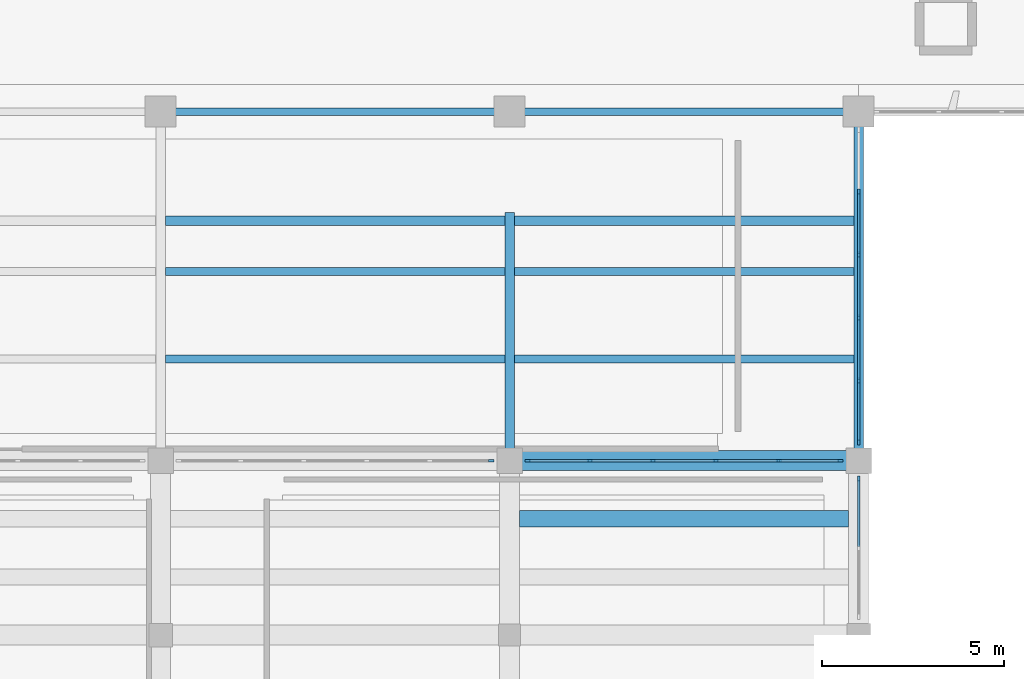
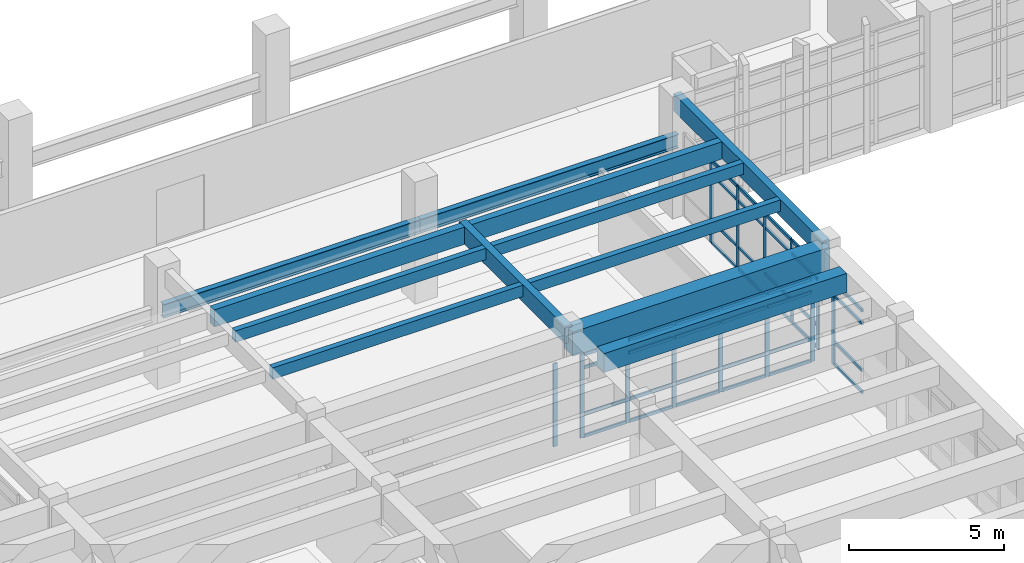
# One storey, part 22 of 86: 53 members, 12 beams, 4 elements without a shape of their own.
"""IFC4 building model written with IfcOpenShell, lengths in metres."""

from ifc_helpers import new_model, si_unit, direction, frame, origin, origin_2d, place, context, subcontext, project, spatial, rectangle, i_section, extrude, material, layer, layer_set, material_profile, profile_set, type_object, element, aggregate, save


model = new_model("IFC4")

# Units and contexts
model_context = context("Model", 3, precision=1e-05, world=origin(), true_north=direction((0.0, 1.0)))
body_context = subcontext(model_context, "Body", "Model", "MODEL_VIEW")
ifc_project = project(units=[si_unit("LENGTHUNIT", "METRE"), si_unit("AREAUNIT", "SQUARE_METRE"), si_unit("VOLUMEUNIT", "CUBIC_METRE"), si_unit("PLANEANGLEUNIT", "RADIAN"), si_unit("MASSUNIT", "GRAM", prefix="KILO")], contexts=[model_context])

# Site, building, storey
site_placement = place(None, origin())
site = spatial("IfcSite", under=ifc_project, at=site_placement, CompositionType="ELEMENT")
building_placement = place(site_placement, origin())
building = spatial("IfcBuilding", under=site, at=building_placement, Name="Kolvemor Railside Polytechnic", CompositionType="ELEMENT")
storey_placement = place(building_placement, frame((0.0, 0.0, 5.39990234375)))
storey = spatial("IfcBuildingStorey", under=building, at=storey_placement, Name="L01", CompositionType="ELEMENT", Elevation=5.39990234375)

# Beams
ifc_material_1 = material(Name="Glulam GL28h", Category="wood")
ifc_material_profile_1 = material_profile(ifc_material_1, rectangle(XDim=0.264892578125, YDim=0.679931640625, at=origin_2d()), Name="GL265x680")
ifc_profile_set_1 = profile_set([ifc_material_profile_1], Name="Glulam GL28h")
beam_type_1 = type_object("IfcBeamType", Name="BM-GL-GIRD2", PredefinedType="BEAM", material=ifc_profile_set_1)
for number, where, z_axis, x_axis, name in (
    (1, (28.93310546875, 88.199951171875, 4.2451171875), (1.0, 0.0, 0.0), (0.0, 1.0, 0.0), "Link Roof North Joist 1071"),
    (2, (38.532958984375, 88.199951171875, 4.2451171875), (1.0, 0.0, 0.0), (0.0, 1.0, 0.0), "Link Roof North Joist 1072"),
):
    element("IfcBeam", number, at=place(storey_placement, frame(where, z_axis=z_axis, x_axis=x_axis)), inside=storey, type_object=beam_type_1, Name=name, PredefinedType="BEAM", context=body_context, shape_type="SweptSolid", body=[
        extrude(rectangle(XDim=0.264892578125, YDim=0.679931640625, at=origin_2d()), origin(), (0.0, 0.0, 1.0), 9.333984375),
    ])
beam_1_placement = place(storey_placement, frame((38.39990234375, 81.60009765625, 4.2451171875), z_axis=(0.0, 1.0, 0.0), x_axis=(-1.0, 0.0, 0.0)))
element("IfcBeam", 3, at=beam_1_placement, inside=storey, type_object=beam_type_1, Name="Link Roof Girder GY 1075", PredefinedType="BEAM", context=body_context, shape_type="SweptSolid", body=[
    extrude(rectangle(XDim=0.264892578125, YDim=0.679931640625, at=origin_2d()), origin(), (0.0, 0.0, 1.0), 6.81982421875),
])
beam_2_placement = place(storey_placement, frame((48.0, 81.60009765625, 4.2451171875), z_axis=(0.0, 1.0, 0.0), x_axis=(-1.0, 0.0, 0.0)))
element("IfcBeam", 4, at=beam_2_placement, inside=storey, type_object=beam_type_1, Name="Link Roof Girder GY 1076", PredefinedType="BEAM", context=body_context, shape_type="SweptSolid", body=[
    extrude(rectangle(XDim=0.264892578125, YDim=0.679931640625, at=origin_2d()), origin(), (0.0, 0.0, 1.0), 9.599853515625),
])
ifc_material_2 = material(Name="Glulam GL28h", Category="wood")
ifc_material_profile_2 = material_profile(ifc_material_2, rectangle(XDim=0.215087890625, YDim=0.449951171875, at=origin_2d()), Name="GL215x450")
ifc_profile_set_2 = profile_set([ifc_material_profile_2], Name="Glulam GL28h")
beam_type_2 = type_object("IfcBeamType", Name="BM-GL-JST2", PredefinedType="JOIST", material=ifc_profile_set_2)
for number, where, z_axis, x_axis, name in (
    (5, (28.93310546875, 84.39990234375, 4.360107421875), (1.0, 0.0, 0.0), (0.0, 1.0, 0.0), "Link Roof Joist 1079"),
    (6, (28.93310546875, 86.800048828125, 4.360107421875), (1.0, 0.0, 0.0), (0.0, 1.0, 0.0), "Link Roof Joist 1080"),
    (7, (38.532958984375, 84.39990234375, 4.360107421875), (1.0, 0.0, 0.0), (0.0, 1.0, 0.0), "Link Roof Joist 1081"),
    (8, (38.532958984375, 86.800048828125, 4.360107421875), (1.0, 0.0, 0.0), (0.0, 1.0, 0.0), "Link Roof Joist 1082"),
):
    element("IfcBeam", number, at=place(storey_placement, frame(where, z_axis=z_axis, x_axis=x_axis)), inside=storey, type_object=beam_type_2, Name=name, PredefinedType="JOIST", context=body_context, shape_type="SweptSolid", body=[
        extrude(rectangle(XDim=0.215087890625, YDim=0.449951171875, at=origin_2d()), origin(), (0.0, 0.0, 1.0), 9.333984375),
    ])
ifc_material_3 = material(Name="Concrete C40/50", Category="concrete")
ifc_material_profile_3 = material_profile(ifc_material_3, rectangle(XDim=0.550048828125, YDim=0.949951171875, at=origin_2d()), Name="RC550x950")
ifc_profile_set_3 = profile_set([ifc_material_profile_3], Name="Concrete C40/50")
beam_type_3 = type_object("IfcBeamType", Name="BM-RC-GIRD", PredefinedType="BEAM", material=ifc_profile_set_3)
beam_3_placement = place(storey_placement, frame((38.39990234375, 81.60009765625, 4.005126953125), z_axis=(1.0, 0.0, 0.0), x_axis=(0.0, 1.0, 0.0)))
element("IfcBeam", 9, at=beam_3_placement, inside=storey, type_object=beam_type_3, Name="Primary Girder L02-GX 0607", PredefinedType="BEAM", context=body_context, shape_type="SweptSolid", body=[
    extrude(rectangle(XDim=0.550048828125, YDim=0.949951171875, at=origin_2d()), origin(), (0.0, 0.0, 1.0), 9.60009765625),
])
ifc_material_4 = material(Name="Concrete C40/50", Category="concrete")
ifc_material_profile_4 = material_profile(ifc_material_4, rectangle(XDim=0.449951171875, YDim=0.75, at=origin_2d()), Name="RC450x750")
ifc_profile_set_4 = profile_set([ifc_material_profile_4], Name="Concrete C40/50")
beam_type_4 = type_object("IfcBeamType", Name="BM-RC-SEC", PredefinedType="JOIST", material=ifc_profile_set_4)
beam_4_placement = place(storey_placement, frame((38.675048828125, 80.0, 4.10498046875), z_axis=(1.0, 0.0, 0.0), x_axis=(0.0, 1.0, 0.0)))
element("IfcBeam", 10, at=beam_4_placement, inside=storey, type_object=beam_type_4, Name="Floor Joist L02-J0747", PredefinedType="JOIST", context=body_context, shape_type="SweptSolid", body=[
    extrude(rectangle(XDim=0.449951171875, YDim=0.75, at=origin_2d()), origin(), (0.0, 0.0, 1.0), 9.050048828125),
])
ifc_material_5 = material(Name="Steel S355", Category="steel")
ifc_material_profile_5 = material_profile(ifc_material_5, i_section(OverallWidth=0.2109375, OverallDepth=0.5390625, WebThickness=0.01171875, FlangeThickness=0.018798828125, FilletRadius=0.013916015625, at=origin_2d()), Name="W530x109")
ifc_profile_set_5 = profile_set([ifc_material_profile_5], Name="Steel S355")
beam_type_5 = type_object("IfcBeamType", Name="BM-ST-CRANE2", PredefinedType="BEAM", material=ifc_profile_set_5)
beam_5_placement = place(storey_placement, frame((28.800048828125, 91.199951171875, 2.730712890625), z_axis=(1.0, 0.0, 0.0), x_axis=(0.0, 1.0, 0.0)))
element("IfcBeam", 11, at=beam_5_placement, inside=storey, type_object=beam_type_5, Name="Workshop Header Steel Girder CRG-G02", PredefinedType="BEAM", context=body_context, shape_type="SweptSolid", body=[
    extrude(i_section(OverallWidth=0.2109375, OverallDepth=0.5390625, WebThickness=0.01171875, FlangeThickness=0.018798828125, FilletRadius=0.013916015625, at=origin_2d()), origin(), (0.0, 0.0, 1.0), 9.599853515625),
])
beam_6_placement = place(storey_placement, frame((38.39990234375, 91.199951171875, 2.730712890625), z_axis=(1.0, 0.0, 0.0), x_axis=(0.0, 1.0, 0.0)))
element("IfcBeam", 12, at=beam_6_placement, inside=storey, type_object=beam_type_5, Name="Workshop Header Steel Girder CRG-G03", PredefinedType="BEAM", context=body_context, shape_type="SweptSolid", body=[
    extrude(i_section(OverallWidth=0.2109375, OverallDepth=0.5390625, WebThickness=0.01171875, FlangeThickness=0.018798828125, FilletRadius=0.013916015625, at=origin_2d()), origin(), (0.0, 0.0, 1.0), 9.60009765625),
])

# Curtain wall, member
ifc_material_6 = material(Name="Anodised marine aluminium and laminated low-E glass", Category="aluminium")
ifc_layer = layer(ifc_material_6, 0.179931640625, Name="CW-UNIT-STD")
ifc_layer_set = layer_set([ifc_layer], Name="Anodised marine aluminium and laminated low-E glass")
curtain_wall_type = type_object("IfcCurtainWallType", Name="CW-UNIT-STD", PredefinedType="USERDEFINED", material=ifc_layer_set)
curtain_wall_1_placement = place(storey_placement, origin())
curtain_wall_1 = element("IfcCurtainWall", 13, at=curtain_wall_1_placement, inside=storey, type_object=curtain_wall_type, Name="Curtain Wall L01-037", ObjectType="UNITISED CURTAIN WALL", PredefinedType="USERDEFINED")
ifc_material_7 = material(Name="Anodised marine aluminium 6063-T6", Category="aluminium")
ifc_material_profile_6 = material_profile(ifc_material_7, rectangle(XDim=0.06494140625, YDim=0.14990234375, at=origin_2d()), Name="CW-MUL-65x150")
ifc_profile_set_6 = profile_set([ifc_material_profile_6], Name="Anodised marine aluminium 6063-T6")
member_type_1 = type_object("IfcMemberType", Name="CWM-65x150", PredefinedType="MULLION", material=ifc_profile_set_6)
member_1_placement = place(storey_placement, frame((37.8974609375, 81.60009765625, 0.0), z_axis=(0.0, 0.0, 1.0), x_axis=(0.0, -1.0, 0.0)))
member_1 = element("IfcMember", 14, at=member_1_placement, type_object=member_type_1, Name="CW-STD mullion 1", PredefinedType="MULLION", context=body_context, shape_type="SweptSolid", body=[
    extrude(rectangle(XDim=0.06494140625, YDim=0.14990234375, at=origin_2d()), origin(), (0.0, 0.0, 1.0), 3.280029296875),
])
aggregate(curtain_wall_1, [member_1])

# Curtain wall, members
curtain_wall_2_placement = place(storey_placement, origin())
curtain_wall_2 = element("IfcCurtainWall", 15, at=curtain_wall_2_placement, inside=storey, type_object=curtain_wall_type, Name="Curtain Wall L01-038", ObjectType="UNITISED CURTAIN WALL", PredefinedType="USERDEFINED")
member_2_placement = place(storey_placement, frame((47.49755859375, 81.60009765625, 0.0), z_axis=(0.0, 0.0, 1.0), x_axis=(0.0, -1.0, 0.0)))
member_2 = element("IfcMember", 16, at=member_2_placement, type_object=member_type_1, Name="CW-STD mullion 1", PredefinedType="MULLION", context=body_context, shape_type="SweptSolid", body=[
    extrude(rectangle(XDim=0.06494140625, YDim=0.14990234375, at=origin_2d()), origin(), (0.0, 0.0, 1.0), 3.280029296875),
])
member_3_placement = place(storey_placement, frame((45.798095703125, 81.60009765625, 0.0), z_axis=(0.0, 0.0, 1.0), x_axis=(0.0, -1.0, 0.0)))
member_3 = element("IfcMember", 17, at=member_3_placement, type_object=member_type_1, Name="CW-STD mullion 2", PredefinedType="MULLION", context=body_context, shape_type="SweptSolid", body=[
    extrude(rectangle(XDim=0.06494140625, YDim=0.14990234375, at=origin_2d()), origin(), (0.0, 0.0, 1.0), 3.280029296875),
])
member_4_placement = place(storey_placement, frame((44.06591796875, 81.60009765625, 0.0), z_axis=(0.0, 0.0, 1.0), x_axis=(0.0, -1.0, 0.0)))
member_4 = element("IfcMember", 18, at=member_4_placement, type_object=member_type_1, Name="CW-STD mullion 3", PredefinedType="MULLION", context=body_context, shape_type="SweptSolid", body=[
    extrude(rectangle(XDim=0.06494140625, YDim=0.14990234375, at=origin_2d()), origin(), (0.0, 0.0, 1.0), 3.280029296875),
])
member_5_placement = place(storey_placement, frame((42.333984375, 81.60009765625, 0.0), z_axis=(0.0, 0.0, 1.0), x_axis=(0.0, -1.0, 0.0)))
member_5 = element("IfcMember", 19, at=member_5_placement, type_object=member_type_1, Name="CW-STD mullion 4", PredefinedType="MULLION", context=body_context, shape_type="SweptSolid", body=[
    extrude(rectangle(XDim=0.06494140625, YDim=0.14990234375, at=origin_2d()), origin(), (0.0, 0.0, 1.0), 3.280029296875),
])
member_6_placement = place(storey_placement, frame((40.60205078125, 81.60009765625, 0.0), z_axis=(0.0, 0.0, 1.0), x_axis=(0.0, -1.0, 0.0)))
member_6 = element("IfcMember", 20, at=member_6_placement, type_object=member_type_1, Name="CW-STD mullion 5", PredefinedType="MULLION", context=body_context, shape_type="SweptSolid", body=[
    extrude(rectangle(XDim=0.06494140625, YDim=0.14990234375, at=origin_2d()), origin(), (0.0, 0.0, 1.0), 3.280029296875),
])
member_7_placement = place(storey_placement, frame((38.902587890625, 81.60009765625, 0.0), z_axis=(0.0, 0.0, 1.0), x_axis=(0.0, -1.0, 0.0)))
member_7 = element("IfcMember", 21, at=member_7_placement, type_object=member_type_1, Name="CW-STD mullion 6", PredefinedType="MULLION", context=body_context, shape_type="SweptSolid", body=[
    extrude(rectangle(XDim=0.06494140625, YDim=0.14990234375, at=origin_2d()), origin(), (0.0, 0.0, 1.0), 3.280029296875),
])

curtain_wall_3_placement = place(storey_placement, origin())
curtain_wall_3 = element("IfcCurtainWall", 22, at=curtain_wall_3_placement, inside=storey, type_object=curtain_wall_type, Name="Curtain Wall L01-044", ObjectType="UNITISED CURTAIN WALL", PredefinedType="USERDEFINED")
member_8_placement = place(storey_placement, frame((48.0, 82.1025390625, 0.0), z_axis=(0.0, 0.0, 1.0), x_axis=(-1.0, 0.0, 0.0)))
member_8 = element("IfcMember", 23, at=member_8_placement, type_object=member_type_1, Name="CW-STD mullion 1", PredefinedType="MULLION", context=body_context, shape_type="SweptSolid", body=[
    extrude(rectangle(XDim=0.06494140625, YDim=0.14990234375, at=origin_2d()), origin(), (0.0, 0.0, 1.0), 3.280029296875),
])
member_9_placement = place(storey_placement, frame((48.0, 83.802001953125, 0.0), z_axis=(0.0, 0.0, 1.0), x_axis=(-1.0, 0.0, 0.0)))
member_9 = element("IfcMember", 24, at=member_9_placement, type_object=member_type_1, Name="CW-STD mullion 2", PredefinedType="MULLION", context=body_context, shape_type="SweptSolid", body=[
    extrude(rectangle(XDim=0.06494140625, YDim=0.14990234375, at=origin_2d()), origin(), (0.0, 0.0, 1.0), 3.280029296875),
])
member_10_placement = place(storey_placement, frame((48.0, 85.533935546875, 0.0), z_axis=(0.0, 0.0, 1.0), x_axis=(-1.0, 0.0, 0.0)))
member_10 = element("IfcMember", 25, at=member_10_placement, type_object=member_type_1, Name="CW-STD mullion 3", PredefinedType="MULLION", context=body_context, shape_type="SweptSolid", body=[
    extrude(rectangle(XDim=0.06494140625, YDim=0.14990234375, at=origin_2d()), origin(), (0.0, 0.0, 1.0), 3.280029296875),
])
member_11_placement = place(storey_placement, frame((48.0, 87.26611328125, 0.0), z_axis=(0.0, 0.0, 1.0), x_axis=(-1.0, 0.0, 0.0)))
member_11 = element("IfcMember", 26, at=member_11_placement, type_object=member_type_1, Name="CW-STD mullion 4", PredefinedType="MULLION", context=body_context, shape_type="SweptSolid", body=[
    extrude(rectangle(XDim=0.06494140625, YDim=0.14990234375, at=origin_2d()), origin(), (0.0, 0.0, 1.0), 3.280029296875),
])
member_12_placement = place(storey_placement, frame((48.0, 88.998046875, 0.0), z_axis=(0.0, 0.0, 1.0), x_axis=(-1.0, 0.0, 0.0)))
member_12 = element("IfcMember", 27, at=member_12_placement, type_object=member_type_1, Name="CW-STD mullion 5", PredefinedType="MULLION", context=body_context, shape_type="SweptSolid", body=[
    extrude(rectangle(XDim=0.06494140625, YDim=0.14990234375, at=origin_2d()), origin(), (0.0, 0.0, 1.0), 3.280029296875),
])

# Curtain wall, member
curtain_wall_4_placement = place(storey_placement, origin())
curtain_wall_4 = element("IfcCurtainWall", 28, at=curtain_wall_4_placement, inside=storey, type_object=curtain_wall_type, Name="Curtain Wall L01-090", ObjectType="UNITISED CURTAIN WALL", PredefinedType="USERDEFINED")
member_13_placement = place(storey_placement, frame((48.0, 81.097412109375, 0.0), z_axis=(0.0, 0.0, 1.0), x_axis=(-1.0, 0.0, 0.0)))
member_13 = element("IfcMember", 29, at=member_13_placement, type_object=member_type_1, Name="CW-STD mullion 3", PredefinedType="MULLION", context=body_context, shape_type="SweptSolid", body=[
    extrude(rectangle(XDim=0.06494140625, YDim=0.14990234375, at=origin_2d()), origin(), (0.0, 0.0, 1.0), 3.280029296875),
])

# Member
ifc_material_8 = material(Name="Anodised marine aluminium 6063-T6", Category="aluminium")
ifc_material_profile_7 = material_profile(ifc_material_8, rectangle(XDim=0.06494140625, YDim=0.1201171875, at=origin_2d()), Name="CW-TRN-65x120")
ifc_profile_set_7 = profile_set([ifc_material_profile_7], Name="Anodised marine aluminium 6063-T6")
member_type_2 = type_object("IfcMemberType", Name="CWT-65x120", PredefinedType="USERDEFINED", material=ifc_profile_set_7)
member_14_placement = place(storey_placement, frame((47.465087890625, 81.60009765625, 0.03271484375), z_axis=(-1.0, 0.0, 0.0), x_axis=(0.0, -1.0, 0.0)))
member_14 = element("IfcMember", 30, at=member_14_placement, type_object=member_type_2, Name="CW-STD transom 1.1", ObjectType="TRANSOM", PredefinedType="USERDEFINED", context=body_context, shape_type="SweptSolid", body=[
    extrude(rectangle(XDim=0.06494140625, YDim=0.1201171875, at=origin_2d()), origin(), (0.0, 0.0, 1.0), 1.634521484375),
])

member_15_placement = place(storey_placement, frame((47.465087890625, 81.60009765625, 0.900146484375), z_axis=(-1.0, 0.0, 0.0), x_axis=(0.0, -1.0, 0.0)))
member_15 = element("IfcMember", 31, at=member_15_placement, type_object=member_type_2, Name="CW-STD transom 1.2", ObjectType="TRANSOM", PredefinedType="USERDEFINED", context=body_context, shape_type="SweptSolid", body=[
    extrude(rectangle(XDim=0.06494140625, YDim=0.1201171875, at=origin_2d()), origin(), (0.0, 0.0, 1.0), 1.634521484375),
])

member_16_placement = place(storey_placement, frame((47.465087890625, 81.60009765625, 2.72998046875), z_axis=(-1.0, 0.0, 0.0), x_axis=(0.0, -1.0, 0.0)))
member_16 = element("IfcMember", 32, at=member_16_placement, type_object=member_type_2, Name="CW-STD transom 1.3", ObjectType="TRANSOM", PredefinedType="USERDEFINED", context=body_context, shape_type="SweptSolid", body=[
    extrude(rectangle(XDim=0.06494140625, YDim=0.1201171875, at=origin_2d()), origin(), (0.0, 0.0, 1.0), 1.634521484375),
])

member_17_placement = place(storey_placement, frame((47.465087890625, 81.60009765625, 3.24755859375), z_axis=(-1.0, 0.0, 0.0), x_axis=(0.0, -1.0, 0.0)))
member_17 = element("IfcMember", 33, at=member_17_placement, type_object=member_type_2, Name="CW-STD transom 1.4", ObjectType="TRANSOM", PredefinedType="USERDEFINED", context=body_context, shape_type="SweptSolid", body=[
    extrude(rectangle(XDim=0.06494140625, YDim=0.1201171875, at=origin_2d()), origin(), (0.0, 0.0, 1.0), 1.634521484375),
])

member_18_placement = place(storey_placement, frame((45.765380859375, 81.60009765625, 0.03271484375), z_axis=(-1.0, 0.0, 0.0), x_axis=(0.0, -1.0, 0.0)))
member_18 = element("IfcMember", 34, at=member_18_placement, type_object=member_type_2, Name="CW-STD transom 2.1", ObjectType="TRANSOM", PredefinedType="USERDEFINED", context=body_context, shape_type="SweptSolid", body=[
    extrude(rectangle(XDim=0.06494140625, YDim=0.1201171875, at=origin_2d()), origin(), (0.0, 0.0, 1.0), 1.6669921875),
])

member_19_placement = place(storey_placement, frame((45.765380859375, 81.60009765625, 0.900146484375), z_axis=(-1.0, 0.0, 0.0), x_axis=(0.0, -1.0, 0.0)))
member_19 = element("IfcMember", 35, at=member_19_placement, type_object=member_type_2, Name="CW-STD transom 2.2", ObjectType="TRANSOM", PredefinedType="USERDEFINED", context=body_context, shape_type="SweptSolid", body=[
    extrude(rectangle(XDim=0.06494140625, YDim=0.1201171875, at=origin_2d()), origin(), (0.0, 0.0, 1.0), 1.6669921875),
])

member_20_placement = place(storey_placement, frame((45.765380859375, 81.60009765625, 2.72998046875), z_axis=(-1.0, 0.0, 0.0), x_axis=(0.0, -1.0, 0.0)))
member_20 = element("IfcMember", 36, at=member_20_placement, type_object=member_type_2, Name="CW-STD transom 2.3", ObjectType="TRANSOM", PredefinedType="USERDEFINED", context=body_context, shape_type="SweptSolid", body=[
    extrude(rectangle(XDim=0.06494140625, YDim=0.1201171875, at=origin_2d()), origin(), (0.0, 0.0, 1.0), 1.6669921875),
])

member_21_placement = place(storey_placement, frame((45.765380859375, 81.60009765625, 3.24755859375), z_axis=(-1.0, 0.0, 0.0), x_axis=(0.0, -1.0, 0.0)))
member_21 = element("IfcMember", 37, at=member_21_placement, type_object=member_type_2, Name="CW-STD transom 2.4", ObjectType="TRANSOM", PredefinedType="USERDEFINED", context=body_context, shape_type="SweptSolid", body=[
    extrude(rectangle(XDim=0.06494140625, YDim=0.1201171875, at=origin_2d()), origin(), (0.0, 0.0, 1.0), 1.6669921875),
])

member_22_placement = place(storey_placement, frame((44.033447265625, 81.60009765625, 0.03271484375), z_axis=(-1.0, 0.0, 0.0), x_axis=(0.0, -1.0, 0.0)))
member_22 = element("IfcMember", 38, at=member_22_placement, type_object=member_type_2, Name="CW-STD transom 3.1", ObjectType="TRANSOM", PredefinedType="USERDEFINED", context=body_context, shape_type="SweptSolid", body=[
    extrude(rectangle(XDim=0.06494140625, YDim=0.1201171875, at=origin_2d()), origin(), (0.0, 0.0, 1.0), 1.6669921875),
])

member_23_placement = place(storey_placement, frame((44.033447265625, 81.60009765625, 0.900146484375), z_axis=(-1.0, 0.0, 0.0), x_axis=(0.0, -1.0, 0.0)))
member_23 = element("IfcMember", 39, at=member_23_placement, type_object=member_type_2, Name="CW-STD transom 3.2", ObjectType="TRANSOM", PredefinedType="USERDEFINED", context=body_context, shape_type="SweptSolid", body=[
    extrude(rectangle(XDim=0.06494140625, YDim=0.1201171875, at=origin_2d()), origin(), (0.0, 0.0, 1.0), 1.6669921875),
])

member_24_placement = place(storey_placement, frame((44.033447265625, 81.60009765625, 2.72998046875), z_axis=(-1.0, 0.0, 0.0), x_axis=(0.0, -1.0, 0.0)))
member_24 = element("IfcMember", 40, at=member_24_placement, type_object=member_type_2, Name="CW-STD transom 3.3", ObjectType="TRANSOM", PredefinedType="USERDEFINED", context=body_context, shape_type="SweptSolid", body=[
    extrude(rectangle(XDim=0.06494140625, YDim=0.1201171875, at=origin_2d()), origin(), (0.0, 0.0, 1.0), 1.6669921875),
])

member_25_placement = place(storey_placement, frame((44.033447265625, 81.60009765625, 3.24755859375), z_axis=(-1.0, 0.0, 0.0), x_axis=(0.0, -1.0, 0.0)))
member_25 = element("IfcMember", 41, at=member_25_placement, type_object=member_type_2, Name="CW-STD transom 3.4", ObjectType="TRANSOM", PredefinedType="USERDEFINED", context=body_context, shape_type="SweptSolid", body=[
    extrude(rectangle(XDim=0.06494140625, YDim=0.1201171875, at=origin_2d()), origin(), (0.0, 0.0, 1.0), 1.6669921875),
])

member_26_placement = place(storey_placement, frame((42.301513671875, 81.60009765625, 0.03271484375), z_axis=(-1.0, 0.0, 0.0), x_axis=(0.0, -1.0, 0.0)))
member_26 = element("IfcMember", 42, at=member_26_placement, type_object=member_type_2, Name="CW-STD transom 4.1", ObjectType="TRANSOM", PredefinedType="USERDEFINED", context=body_context, shape_type="SweptSolid", body=[
    extrude(rectangle(XDim=0.06494140625, YDim=0.1201171875, at=origin_2d()), origin(), (0.0, 0.0, 1.0), 1.6669921875),
])

member_27_placement = place(storey_placement, frame((42.301513671875, 81.60009765625, 0.900146484375), z_axis=(-1.0, 0.0, 0.0), x_axis=(0.0, -1.0, 0.0)))
member_27 = element("IfcMember", 43, at=member_27_placement, type_object=member_type_2, Name="CW-STD transom 4.2", ObjectType="TRANSOM", PredefinedType="USERDEFINED", context=body_context, shape_type="SweptSolid", body=[
    extrude(rectangle(XDim=0.06494140625, YDim=0.1201171875, at=origin_2d()), origin(), (0.0, 0.0, 1.0), 1.6669921875),
])

member_28_placement = place(storey_placement, frame((42.301513671875, 81.60009765625, 2.72998046875), z_axis=(-1.0, 0.0, 0.0), x_axis=(0.0, -1.0, 0.0)))
member_28 = element("IfcMember", 44, at=member_28_placement, type_object=member_type_2, Name="CW-STD transom 4.3", ObjectType="TRANSOM", PredefinedType="USERDEFINED", context=body_context, shape_type="SweptSolid", body=[
    extrude(rectangle(XDim=0.06494140625, YDim=0.1201171875, at=origin_2d()), origin(), (0.0, 0.0, 1.0), 1.6669921875),
])

member_29_placement = place(storey_placement, frame((42.301513671875, 81.60009765625, 3.24755859375), z_axis=(-1.0, 0.0, 0.0), x_axis=(0.0, -1.0, 0.0)))
member_29 = element("IfcMember", 45, at=member_29_placement, type_object=member_type_2, Name="CW-STD transom 4.4", ObjectType="TRANSOM", PredefinedType="USERDEFINED", context=body_context, shape_type="SweptSolid", body=[
    extrude(rectangle(XDim=0.06494140625, YDim=0.1201171875, at=origin_2d()), origin(), (0.0, 0.0, 1.0), 1.6669921875),
])

member_30_placement = place(storey_placement, frame((40.569580078125, 81.60009765625, 0.03271484375), z_axis=(-1.0, 0.0, 0.0), x_axis=(0.0, -1.0, 0.0)))
member_30 = element("IfcMember", 46, at=member_30_placement, type_object=member_type_2, Name="CW-STD transom 5.1", ObjectType="TRANSOM", PredefinedType="USERDEFINED", context=body_context, shape_type="SweptSolid", body=[
    extrude(rectangle(XDim=0.06494140625, YDim=0.1201171875, at=origin_2d()), origin(), (0.0, 0.0, 1.0), 1.634521484375),
])

member_31_placement = place(storey_placement, frame((40.569580078125, 81.60009765625, 0.900146484375), z_axis=(-1.0, 0.0, 0.0), x_axis=(0.0, -1.0, 0.0)))
member_31 = element("IfcMember", 47, at=member_31_placement, type_object=member_type_2, Name="CW-STD transom 5.2", ObjectType="TRANSOM", PredefinedType="USERDEFINED", context=body_context, shape_type="SweptSolid", body=[
    extrude(rectangle(XDim=0.06494140625, YDim=0.1201171875, at=origin_2d()), origin(), (0.0, 0.0, 1.0), 1.634521484375),
])

member_32_placement = place(storey_placement, frame((40.569580078125, 81.60009765625, 2.72998046875), z_axis=(-1.0, 0.0, 0.0), x_axis=(0.0, -1.0, 0.0)))
member_32 = element("IfcMember", 48, at=member_32_placement, type_object=member_type_2, Name="CW-STD transom 5.3", ObjectType="TRANSOM", PredefinedType="USERDEFINED", context=body_context, shape_type="SweptSolid", body=[
    extrude(rectangle(XDim=0.06494140625, YDim=0.1201171875, at=origin_2d()), origin(), (0.0, 0.0, 1.0), 1.634521484375),
])

member_33_placement = place(storey_placement, frame((40.569580078125, 81.60009765625, 3.24755859375), z_axis=(-1.0, 0.0, 0.0), x_axis=(0.0, -1.0, 0.0)))
member_33 = element("IfcMember", 49, at=member_33_placement, type_object=member_type_2, Name="CW-STD transom 5.4", ObjectType="TRANSOM", PredefinedType="USERDEFINED", context=body_context, shape_type="SweptSolid", body=[
    extrude(rectangle(XDim=0.06494140625, YDim=0.1201171875, at=origin_2d()), origin(), (0.0, 0.0, 1.0), 1.634521484375),
])

aggregate(curtain_wall_2, [member_2, member_3, member_4, member_5, member_6, member_7, member_14, member_15, member_16, member_17, member_18, member_19, member_20, member_21, member_22, member_23, member_24, member_25, member_26, member_27, member_28, member_29, member_30, member_31, member_32, member_33])

member_34_placement = place(storey_placement, frame((48.0, 82.135009765625, 0.03271484375), z_axis=(0.0, 1.0, 0.0), x_axis=(-1.0, 0.0, 0.0)))
member_34 = element("IfcMember", 50, at=member_34_placement, type_object=member_type_2, Name="CW-STD transom 1.1", ObjectType="TRANSOM", PredefinedType="USERDEFINED", context=body_context, shape_type="SweptSolid", body=[
    extrude(rectangle(XDim=0.06494140625, YDim=0.1201171875, at=origin_2d()), origin(), (0.0, 0.0, 1.0), 1.634521484375),
])

member_35_placement = place(storey_placement, frame((48.0, 82.135009765625, 0.900146484375), z_axis=(0.0, 1.0, 0.0), x_axis=(-1.0, 0.0, 0.0)))
member_35 = element("IfcMember", 51, at=member_35_placement, type_object=member_type_2, Name="CW-STD transom 1.2", ObjectType="TRANSOM", PredefinedType="USERDEFINED", context=body_context, shape_type="SweptSolid", body=[
    extrude(rectangle(XDim=0.06494140625, YDim=0.1201171875, at=origin_2d()), origin(), (0.0, 0.0, 1.0), 1.634521484375),
])

member_36_placement = place(storey_placement, frame((48.0, 82.135009765625, 2.72998046875), z_axis=(0.0, 1.0, 0.0), x_axis=(-1.0, 0.0, 0.0)))
member_36 = element("IfcMember", 52, at=member_36_placement, type_object=member_type_2, Name="CW-STD transom 1.3", ObjectType="TRANSOM", PredefinedType="USERDEFINED", context=body_context, shape_type="SweptSolid", body=[
    extrude(rectangle(XDim=0.06494140625, YDim=0.1201171875, at=origin_2d()), origin(), (0.0, 0.0, 1.0), 1.634521484375),
])

member_37_placement = place(storey_placement, frame((48.0, 82.135009765625, 3.24755859375), z_axis=(0.0, 1.0, 0.0), x_axis=(-1.0, 0.0, 0.0)))
member_37 = element("IfcMember", 53, at=member_37_placement, type_object=member_type_2, Name="CW-STD transom 1.4", ObjectType="TRANSOM", PredefinedType="USERDEFINED", context=body_context, shape_type="SweptSolid", body=[
    extrude(rectangle(XDim=0.06494140625, YDim=0.1201171875, at=origin_2d()), origin(), (0.0, 0.0, 1.0), 1.634521484375),
])

member_38_placement = place(storey_placement, frame((48.0, 83.83447265625, 0.03271484375), z_axis=(0.0, 1.0, 0.0), x_axis=(-1.0, 0.0, 0.0)))
member_38 = element("IfcMember", 54, at=member_38_placement, type_object=member_type_2, Name="CW-STD transom 2.1", ObjectType="TRANSOM", PredefinedType="USERDEFINED", context=body_context, shape_type="SweptSolid", body=[
    extrude(rectangle(XDim=0.06494140625, YDim=0.1201171875, at=origin_2d()), origin(), (0.0, 0.0, 1.0), 1.6669921875),
])

member_39_placement = place(storey_placement, frame((48.0, 83.83447265625, 0.900146484375), z_axis=(0.0, 1.0, 0.0), x_axis=(-1.0, 0.0, 0.0)))
member_39 = element("IfcMember", 55, at=member_39_placement, type_object=member_type_2, Name="CW-STD transom 2.2", ObjectType="TRANSOM", PredefinedType="USERDEFINED", context=body_context, shape_type="SweptSolid", body=[
    extrude(rectangle(XDim=0.06494140625, YDim=0.1201171875, at=origin_2d()), origin(), (0.0, 0.0, 1.0), 1.6669921875),
])

member_40_placement = place(storey_placement, frame((48.0, 83.83447265625, 2.72998046875), z_axis=(0.0, 1.0, 0.0), x_axis=(-1.0, 0.0, 0.0)))
member_40 = element("IfcMember", 56, at=member_40_placement, type_object=member_type_2, Name="CW-STD transom 2.3", ObjectType="TRANSOM", PredefinedType="USERDEFINED", context=body_context, shape_type="SweptSolid", body=[
    extrude(rectangle(XDim=0.06494140625, YDim=0.1201171875, at=origin_2d()), origin(), (0.0, 0.0, 1.0), 1.6669921875),
])

member_41_placement = place(storey_placement, frame((48.0, 83.83447265625, 3.24755859375), z_axis=(0.0, 1.0, 0.0), x_axis=(-1.0, 0.0, 0.0)))
member_41 = element("IfcMember", 57, at=member_41_placement, type_object=member_type_2, Name="CW-STD transom 2.4", ObjectType="TRANSOM", PredefinedType="USERDEFINED", context=body_context, shape_type="SweptSolid", body=[
    extrude(rectangle(XDim=0.06494140625, YDim=0.1201171875, at=origin_2d()), origin(), (0.0, 0.0, 1.0), 1.6669921875),
])

member_42_placement = place(storey_placement, frame((48.0, 85.56640625, 0.03271484375), z_axis=(0.0, 1.0, 0.0), x_axis=(-1.0, 0.0, 0.0)))
member_42 = element("IfcMember", 58, at=member_42_placement, type_object=member_type_2, Name="CW-STD transom 3.1", ObjectType="TRANSOM", PredefinedType="USERDEFINED", context=body_context, shape_type="SweptSolid", body=[
    extrude(rectangle(XDim=0.06494140625, YDim=0.1201171875, at=origin_2d()), origin(), (0.0, 0.0, 1.0), 1.6669921875),
])

member_43_placement = place(storey_placement, frame((48.0, 85.56640625, 0.900146484375), z_axis=(0.0, 1.0, 0.0), x_axis=(-1.0, 0.0, 0.0)))
member_43 = element("IfcMember", 59, at=member_43_placement, type_object=member_type_2, Name="CW-STD transom 3.2", ObjectType="TRANSOM", PredefinedType="USERDEFINED", context=body_context, shape_type="SweptSolid", body=[
    extrude(rectangle(XDim=0.06494140625, YDim=0.1201171875, at=origin_2d()), origin(), (0.0, 0.0, 1.0), 1.6669921875),
])

member_44_placement = place(storey_placement, frame((48.0, 85.56640625, 2.72998046875), z_axis=(0.0, 1.0, 0.0), x_axis=(-1.0, 0.0, 0.0)))
member_44 = element("IfcMember", 60, at=member_44_placement, type_object=member_type_2, Name="CW-STD transom 3.3", ObjectType="TRANSOM", PredefinedType="USERDEFINED", context=body_context, shape_type="SweptSolid", body=[
    extrude(rectangle(XDim=0.06494140625, YDim=0.1201171875, at=origin_2d()), origin(), (0.0, 0.0, 1.0), 1.6669921875),
])

member_45_placement = place(storey_placement, frame((48.0, 85.56640625, 3.24755859375), z_axis=(0.0, 1.0, 0.0), x_axis=(-1.0, 0.0, 0.0)))
member_45 = element("IfcMember", 61, at=member_45_placement, type_object=member_type_2, Name="CW-STD transom 3.4", ObjectType="TRANSOM", PredefinedType="USERDEFINED", context=body_context, shape_type="SweptSolid", body=[
    extrude(rectangle(XDim=0.06494140625, YDim=0.1201171875, at=origin_2d()), origin(), (0.0, 0.0, 1.0), 1.6669921875),
])

member_46_placement = place(storey_placement, frame((48.0, 87.298583984375, 0.03271484375), z_axis=(0.0, 1.0, 0.0), x_axis=(-1.0, 0.0, 0.0)))
member_46 = element("IfcMember", 62, at=member_46_placement, type_object=member_type_2, Name="CW-STD transom 4.1", ObjectType="TRANSOM", PredefinedType="USERDEFINED", context=body_context, shape_type="SweptSolid", body=[
    extrude(rectangle(XDim=0.06494140625, YDim=0.1201171875, at=origin_2d()), origin(), (0.0, 0.0, 1.0), 1.6669921875),
])

member_47_placement = place(storey_placement, frame((48.0, 87.298583984375, 0.900146484375), z_axis=(0.0, 1.0, 0.0), x_axis=(-1.0, 0.0, 0.0)))
member_47 = element("IfcMember", 63, at=member_47_placement, type_object=member_type_2, Name="CW-STD transom 4.2", ObjectType="TRANSOM", PredefinedType="USERDEFINED", context=body_context, shape_type="SweptSolid", body=[
    extrude(rectangle(XDim=0.06494140625, YDim=0.1201171875, at=origin_2d()), origin(), (0.0, 0.0, 1.0), 1.6669921875),
])

member_48_placement = place(storey_placement, frame((48.0, 87.298583984375, 2.72998046875), z_axis=(0.0, 1.0, 0.0), x_axis=(-1.0, 0.0, 0.0)))
member_48 = element("IfcMember", 64, at=member_48_placement, type_object=member_type_2, Name="CW-STD transom 4.3", ObjectType="TRANSOM", PredefinedType="USERDEFINED", context=body_context, shape_type="SweptSolid", body=[
    extrude(rectangle(XDim=0.06494140625, YDim=0.1201171875, at=origin_2d()), origin(), (0.0, 0.0, 1.0), 1.6669921875),
])

member_49_placement = place(storey_placement, frame((48.0, 87.298583984375, 3.24755859375), z_axis=(0.0, 1.0, 0.0), x_axis=(-1.0, 0.0, 0.0)))
member_49 = element("IfcMember", 65, at=member_49_placement, type_object=member_type_2, Name="CW-STD transom 4.4", ObjectType="TRANSOM", PredefinedType="USERDEFINED", context=body_context, shape_type="SweptSolid", body=[
    extrude(rectangle(XDim=0.06494140625, YDim=0.1201171875, at=origin_2d()), origin(), (0.0, 0.0, 1.0), 1.6669921875),
])

aggregate(curtain_wall_3, [member_8, member_9, member_10, member_11, member_12, member_34, member_35, member_36, member_37, member_38, member_39, member_40, member_41, member_42, member_43, member_44, member_45, member_46, member_47, member_48, member_49])

member_50_placement = place(storey_placement, frame((48.0, 79.232421875, 0.03271484375), z_axis=(0.0, 1.0, 0.0), x_axis=(-1.0, 0.0, 0.0)))
member_50 = element("IfcMember", 66, at=member_50_placement, type_object=member_type_2, Name="CW-STD transom 2.1", ObjectType="TRANSOM", PredefinedType="USERDEFINED", context=body_context, shape_type="SweptSolid", body=[
    extrude(rectangle(XDim=0.06494140625, YDim=0.1201171875, at=origin_2d()), origin(), (0.0, 0.0, 1.0), 1.83251953125),
])

member_51_placement = place(storey_placement, frame((48.0, 79.232421875, 0.900146484375), z_axis=(0.0, 1.0, 0.0), x_axis=(-1.0, 0.0, 0.0)))
member_51 = element("IfcMember", 67, at=member_51_placement, type_object=member_type_2, Name="CW-STD transom 2.2", ObjectType="TRANSOM", PredefinedType="USERDEFINED", context=body_context, shape_type="SweptSolid", body=[
    extrude(rectangle(XDim=0.06494140625, YDim=0.1201171875, at=origin_2d()), origin(), (0.0, 0.0, 1.0), 1.83251953125),
])

member_52_placement = place(storey_placement, frame((48.0, 79.232421875, 2.72998046875), z_axis=(0.0, 1.0, 0.0), x_axis=(-1.0, 0.0, 0.0)))
member_52 = element("IfcMember", 68, at=member_52_placement, type_object=member_type_2, Name="CW-STD transom 2.3", ObjectType="TRANSOM", PredefinedType="USERDEFINED", context=body_context, shape_type="SweptSolid", body=[
    extrude(rectangle(XDim=0.06494140625, YDim=0.1201171875, at=origin_2d()), origin(), (0.0, 0.0, 1.0), 1.83251953125),
])

member_53_placement = place(storey_placement, frame((48.0, 79.232421875, 3.24755859375), z_axis=(0.0, 1.0, 0.0), x_axis=(-1.0, 0.0, 0.0)))
member_53 = element("IfcMember", 69, at=member_53_placement, type_object=member_type_2, Name="CW-STD transom 2.4", ObjectType="TRANSOM", PredefinedType="USERDEFINED", context=body_context, shape_type="SweptSolid", body=[
    extrude(rectangle(XDim=0.06494140625, YDim=0.1201171875, at=origin_2d()), origin(), (0.0, 0.0, 1.0), 1.83251953125),
])

aggregate(curtain_wall_4, [member_13, member_50, member_51, member_52, member_53])

save(model, "model.ifc")
